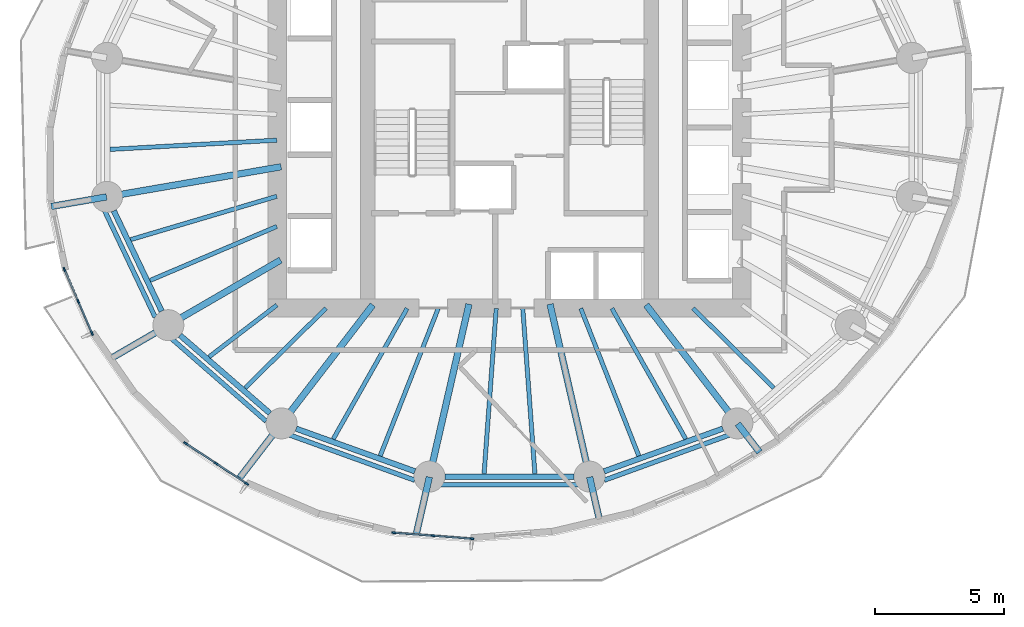
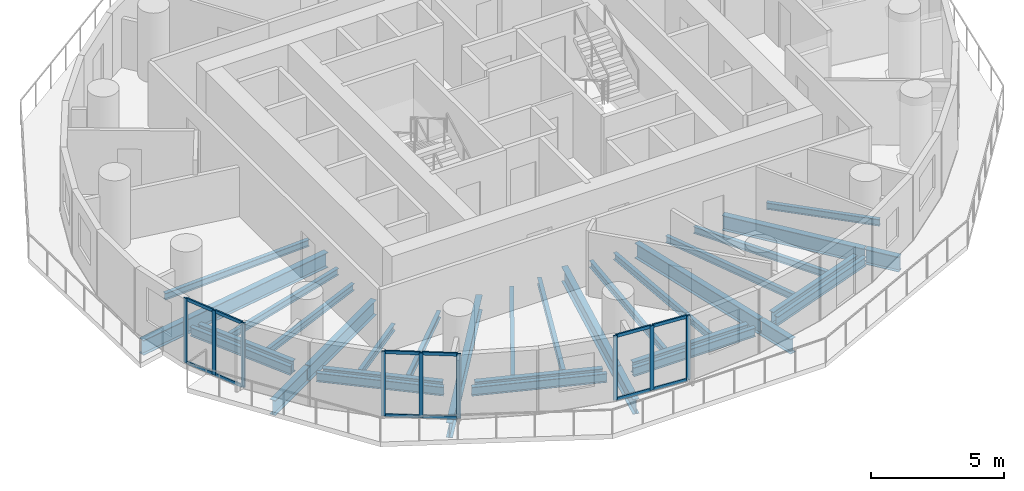
# One storey, part 2 of 14: 34 beams, 21 members, 3 elements without a shape of their own.
"""IFC4 building model written with IfcOpenShell, lengths in metres."""

from ifc_helpers import new_model, si_unit, direction, frame, origin, origin_2d, place, context, subcontext, project, spatial, rectangle, i_section, extrude, material, material_profile, profile_set, type_object, element, aggregate, save


model = new_model("IFC4")

# Units and contexts
model_context = context("Model", 3, precision=1e-05, world=origin(), true_north=direction((0.0, 1.0)))
body_context = subcontext(model_context, "Body", "Model", "MODEL_VIEW")
ifc_project = project(units=[si_unit("LENGTHUNIT", "METRE"), si_unit("AREAUNIT", "SQUARE_METRE"), si_unit("VOLUMEUNIT", "CUBIC_METRE"), si_unit("PLANEANGLEUNIT", "RADIAN"), si_unit("MASSUNIT", "GRAM", prefix="KILO")], contexts=[model_context])

# Site, building, storey
site_placement = place(None, origin())
site = spatial("IfcSite", under=ifc_project, at=site_placement, CompositionType="ELEMENT")
building_placement = place(site_placement, origin())
building = spatial("IfcBuilding", under=site, at=building_placement, Name="Veldorim Arch Residences", CompositionType="ELEMENT")
storey_placement = place(building_placement, frame((0.0, 0.0, 74.080078125)))
storey = spatial("IfcBuildingStorey", under=building, at=storey_placement, Name="L21", CompositionType="ELEMENT", Elevation=74.080078125)

# Beams
ifc_material_1 = material(Name="Steel S355", Category="steel")
ifc_material_profile_1 = material_profile(ifc_material_1, i_section(OverallWidth=0.2119140625, OverallDepth=0.54443359375, WebThickness=0.0126953125, FlangeThickness=0.021240234375, at=origin_2d()), Name="UB533x210x122")
ifc_profile_set_1 = profile_set([ifc_material_profile_1], Name="Steel S355")
beam_type_1 = type_object("IfcBeamType", Name="Structural Steel Beam UB533x210x122", PredefinedType="BEAM", material=ifc_profile_set_1)
beam_1_placement = place(storey_placement, frame((16.663818359375, 20.766357421875, -0.51220703125), z_axis=(0.430720154476, -0.902485539235, 0.0), x_axis=(0.902485539235, 0.430720154476, 0.0)))
element("IfcBeam", 1, at=beam_1_placement, inside=storey, type_object=beam_type_1, Name="L21 perimeter ring tie beam 09", PredefinedType="BEAM", context=body_context, shape_type="SweptSolid", body=[
    extrude(i_section(OverallWidth=0.2119140625, OverallDepth=0.54443359375, WebThickness=0.0126953125, FlangeThickness=0.021240234375, at=origin_2d()), origin(), (0.0, 0.0, 1.0), 4.312255859375),
])
beam_2_placement = place(storey_placement, frame((19.232666015625, 15.939697265625, -0.51220703125), z_axis=(0.755244952556, -0.655442645576, 0.0), x_axis=(0.655442645576, 0.755244952556, 0.0)))
element("IfcBeam", 2, at=beam_2_placement, inside=storey, type_object=beam_type_1, Name="L21 perimeter ring tie beam 10", PredefinedType="BEAM", context=body_context, shape_type="SweptSolid", body=[
    extrude(i_section(OverallWidth=0.2119140625, OverallDepth=0.54443359375, WebThickness=0.0126953125, FlangeThickness=0.021240234375, at=origin_2d()), origin(), (0.0, 0.0, 1.0), 4.608642578125),
])
beam_3_placement = place(storey_placement, frame((23.73095703125, 12.32275390625, -0.51220703125), z_axis=(0.941041944493, -0.338289903343, 0.0), x_axis=(0.338289903343, 0.941041944493, 0.0)))
element("IfcBeam", 3, at=beam_3_placement, inside=storey, type_object=beam_type_1, Name="L21 perimeter ring tie beam 11", PredefinedType="BEAM", context=body_context, shape_type="SweptSolid", body=[
    extrude(i_section(OverallWidth=0.2119140625, OverallDepth=0.54443359375, WebThickness=0.0126953125, FlangeThickness=0.021240234375, at=origin_2d()), origin(), (0.0, 0.0, 1.0), 4.890869140625),
])
beam_4_placement = place(storey_placement, frame((29.498046875, 10.465087890625, -0.51220703125), z_axis=(1.0, 0.0, 0.0), x_axis=(0.0, 1.0, 0.0)))
element("IfcBeam", 4, at=beam_4_placement, inside=storey, type_object=beam_type_1, Name="L21 perimeter ring tie beam 12", PredefinedType="BEAM", context=body_context, shape_type="SweptSolid", body=[
    extrude(i_section(OverallWidth=0.2119140625, OverallDepth=0.54443359375, WebThickness=0.0126953125, FlangeThickness=0.021240234375, at=origin_2d()), origin(), (0.0, 0.0, 1.0), 5.00390625),
])
beam_5_placement = place(storey_placement, frame((35.66650390625, 10.668212890625, -0.51220703125), z_axis=(0.941041944493, 0.338289903343, 0.0), x_axis=(-0.338289903343, 0.941041944493, 0.0)))
element("IfcBeam", 5, at=beam_5_placement, inside=storey, type_object=beam_type_1, Name="L21 perimeter ring tie beam 13", PredefinedType="BEAM", context=body_context, shape_type="SweptSolid", body=[
    extrude(i_section(OverallWidth=0.2119140625, OverallDepth=0.54443359375, WebThickness=0.0126953125, FlangeThickness=0.021240234375, at=origin_2d()), origin(), (0.0, 0.0, 1.0), 4.890869140625),
])
ifc_material_2 = material(Name="Steel S355", Category="steel")
ifc_material_profile_2 = material_profile(ifc_material_2, i_section(OverallWidth=0.25439453125, OverallDepth=0.6875, WebThickness=0.01318359375, FlangeThickness=0.02099609375, at=origin_2d()), Name="UB686x254x152")
ifc_profile_set_2 = profile_set([ifc_material_profile_2], Name="Steel S355")
beam_type_2 = type_object("IfcBeamType", Name="Structural Steel GIRDER UB686x254x152", PredefinedType="USERDEFINED", material=ifc_profile_set_2)
beam_6_placement = place(storey_placement, frame((23.147705078125, 22.4716796875, -0.583740234375), z_axis=(-0.985426622718, -0.17010106184, 0.0), x_axis=(0.17010106184, -0.985426622718, 0.0)))
element("IfcBeam", 6, at=beam_6_placement, inside=storey, type_object=beam_type_2, Name="L21 radial floor girder 09", ObjectType="GIRDER", PredefinedType="USERDEFINED", context=body_context, shape_type="SweptSolid", body=[
    extrude(i_section(OverallWidth=0.25439453125, OverallDepth=0.6875, WebThickness=0.01318359375, FlangeThickness=0.02099609375, at=origin_2d()), origin(), (0.0, 0.0, 1.0), 6.82177734375),
])
beam_7_placement = place(storey_placement, frame((16.3857421875, 21.304443359375, -0.583740234375), z_axis=(-0.985415364323, -0.170166270909, 0.0), x_axis=(0.170166270909, -0.985415364323, 0.0)))
element("IfcBeam", 7, at=beam_7_placement, inside=storey, type_object=beam_type_2, Name="L21 radial edge cantilever girder 09", ObjectType="GIRDER", PredefinedType="USERDEFINED", context=body_context, shape_type="SweptSolid", body=[
    extrude(i_section(OverallWidth=0.25439453125, OverallDepth=0.6875, WebThickness=0.01318359375, FlangeThickness=0.02099609375, at=origin_2d()), origin(), (0.0, 0.0, 1.0), 2.175048828125),
])
beam_8_placement = place(storey_placement, frame((23.1298828125, 18.85595703125, -0.583740234375), z_axis=(-0.865048957682, -0.501687453314, 0.0), x_axis=(0.501687453314, -0.865048957682, 0.0)))
element("IfcBeam", 8, at=beam_8_placement, inside=storey, type_object=beam_type_2, Name="L21 radial floor girder 10", ObjectType="GIRDER", PredefinedType="USERDEFINED", context=body_context, shape_type="SweptSolid", body=[
    extrude(i_section(OverallWidth=0.25439453125, OverallDepth=0.6875, WebThickness=0.01318359375, FlangeThickness=0.02099609375, at=origin_2d()), origin(), (0.0, 0.0, 1.0), 5.009033203125),
])
beam_9_placement = place(storey_placement, frame((18.76220703125, 16.322998046875, -0.583740234375), z_axis=(-0.86504998688, -0.501685678687, 0.0), x_axis=(0.501685678687, -0.86504998688, 0.0)))
element("IfcBeam", 9, at=beam_9_placement, inside=storey, type_object=beam_type_2, Name="L21 radial edge cantilever girder 10", ObjectType="GIRDER", PredefinedType="USERDEFINED", context=body_context, shape_type="SweptSolid", body=[
    extrude(i_section(OverallWidth=0.25439453125, OverallDepth=0.6875, WebThickness=0.01318359375, FlangeThickness=0.02099609375, at=origin_2d()), origin(), (0.0, 0.0, 1.0), 2.5927734375),
])
beam_10_placement = place(storey_placement, frame((26.702392578125, 17.118896484375, -0.583740234375), z_axis=(-0.609994628196, -0.792405548676, 0.0), x_axis=(0.792405548676, -0.609994628196, 0.0)))
element("IfcBeam", 10, at=beam_10_placement, inside=storey, type_object=beam_type_2, Name="L21 radial floor girder 11", ObjectType="GIRDER", PredefinedType="USERDEFINED", context=body_context, shape_type="SweptSolid", body=[
    extrude(i_section(OverallWidth=0.25439453125, OverallDepth=0.6875, WebThickness=0.01318359375, FlangeThickness=0.02099609375, at=origin_2d()), origin(), (0.0, 0.0, 1.0), 5.776611328125),
])
beam_11_placement = place(storey_placement, frame((23.154296875, 12.510009765625, -0.583740234375), z_axis=(-0.609966828657, -0.792426948014, 0.0), x_axis=(0.792426948014, -0.609966828657, 0.0)))
element("IfcBeam", 11, at=beam_11_placement, inside=storey, type_object=beam_type_2, Name="L21 radial edge cantilever girder 11", ObjectType="GIRDER", PredefinedType="USERDEFINED", context=body_context, shape_type="SweptSolid", body=[
    extrude(i_section(OverallWidth=0.25439453125, OverallDepth=0.6875, WebThickness=0.01318359375, FlangeThickness=0.02099609375, at=origin_2d()), origin(), (0.0, 0.0, 1.0), 2.672119140625),
])
beam_12_placement = place(storey_placement, frame((30.42919921875, 17.146240234375, -0.583740234375), z_axis=(-0.223374742148, -0.97473264261, 0.0), x_axis=(0.97473264261, -0.223374742148, 0.0)))
element("IfcBeam", 12, at=beam_12_placement, inside=storey, type_object=beam_type_2, Name="L21 radial floor girder 12", ObjectType="GIRDER", PredefinedType="USERDEFINED", context=body_context, shape_type="SweptSolid", body=[
    extrude(i_section(OverallWidth=0.25439453125, OverallDepth=0.6875, WebThickness=0.01318359375, FlangeThickness=0.02099609375, at=origin_2d()), origin(), (0.0, 0.0, 1.0), 6.834228515625),
])
beam_13_placement = place(storey_placement, frame((28.8935546875, 10.44580078125, -0.583740234375), z_axis=(-0.223344244507, -0.974739631104, 0.0), x_axis=(0.974739631104, -0.223344244507, 0.0)))
element("IfcBeam", 13, at=beam_13_placement, inside=storey, type_object=beam_type_2, Name="L21 radial edge cantilever girder 12", ObjectType="GIRDER", PredefinedType="USERDEFINED", context=body_context, shape_type="SweptSolid", body=[
    extrude(i_section(OverallWidth=0.25439453125, OverallDepth=0.6875, WebThickness=0.01318359375, FlangeThickness=0.02099609375, at=origin_2d()), origin(), (0.0, 0.0, 1.0), 2.271484375),
])
beam_14_placement = place(storey_placement, frame((33.57080078125, 17.146240234375, -0.583740234375), z_axis=(0.223374742148, -0.97473264261, 0.0), x_axis=(0.97473264261, 0.223374742148, 0.0)))
element("IfcBeam", 14, at=beam_14_placement, inside=storey, type_object=beam_type_2, Name="L21 radial floor girder 13", ObjectType="GIRDER", PredefinedType="USERDEFINED", context=body_context, shape_type="SweptSolid", body=[
    extrude(i_section(OverallWidth=0.25439453125, OverallDepth=0.6875, WebThickness=0.01318359375, FlangeThickness=0.02099609375, at=origin_2d()), origin(), (0.0, 0.0, 1.0), 6.834228515625),
])
beam_15_placement = place(storey_placement, frame((35.1064453125, 10.44580078125, -0.583740234375), z_axis=(0.223279477519, -0.974754469043, 0.0), x_axis=(0.974754469043, 0.223279477519, 0.0)))
element("IfcBeam", 15, at=beam_15_placement, inside=storey, type_object=beam_type_2, Name="L21 radial edge cantilever girder 13", ObjectType="GIRDER", PredefinedType="USERDEFINED", context=body_context, shape_type="SweptSolid", body=[
    extrude(i_section(OverallWidth=0.25439453125, OverallDepth=0.6875, WebThickness=0.01318359375, FlangeThickness=0.02099609375, at=origin_2d()), origin(), (0.0, 0.0, 1.0), 1.74951171875),
])
beam_16_placement = place(storey_placement, frame((37.297607421875, 17.118896484375, -0.583740234375), z_axis=(0.609994628196, -0.792405548676, 0.0), x_axis=(0.792405548676, 0.609994628196, 0.0)))
element("IfcBeam", 16, at=beam_16_placement, inside=storey, type_object=beam_type_2, Name="L21 radial floor girder 14", ObjectType="GIRDER", PredefinedType="USERDEFINED", context=body_context, shape_type="SweptSolid", body=[
    extrude(i_section(OverallWidth=0.25439453125, OverallDepth=0.6875, WebThickness=0.01318359375, FlangeThickness=0.02099609375, at=origin_2d()), origin(), (0.0, 0.0, 1.0), 5.776611328125),
])
beam_17_placement = place(storey_placement, frame((40.845703125, 12.510009765625, -0.583740234375), z_axis=(0.609991800873, -0.792407725144, 0.0), x_axis=(0.792407725144, 0.609991800873, 0.0)))
element("IfcBeam", 17, at=beam_17_placement, inside=storey, type_object=beam_type_2, Name="L21 radial edge cantilever girder 14", ObjectType="GIRDER", PredefinedType="USERDEFINED", context=body_context, shape_type="SweptSolid", body=[
    extrude(i_section(OverallWidth=0.25439453125, OverallDepth=0.6875, WebThickness=0.01318359375, FlangeThickness=0.02099609375, at=origin_2d()), origin(), (0.0, 0.0, 1.0), 1.38525390625),
])
ifc_material_3 = material(Name="Steel S355", Category="steel")
ifc_material_profile_3 = material_profile(ifc_material_3, i_section(OverallWidth=0.165771484375, OverallDepth=0.306640625, WebThickness=0.006591796875, FlangeThickness=0.01171875, at=origin_2d()), Name="UB305x165x46")
ifc_profile_set_3 = profile_set([ifc_material_profile_3], Name="Steel S355")
beam_type_3 = type_object("IfcBeamType", Name="Structural Steel Joist UB305x165x46", PredefinedType="JOIST", material=ifc_profile_set_3)
beam_18_placement = place(storey_placement, frame((22.97998046875, 23.501708984375, -0.393310546875), z_axis=(-0.99847713097, -0.055167190702, 0.0), x_axis=(0.055167190702, -0.99847713097, 0.0)))
element("IfcBeam", 18, at=beam_18_placement, inside=storey, type_object=beam_type_3, Name="L21 secondary radial floor joist 08-2", PredefinedType="JOIST", context=body_context, shape_type="SweptSolid", body=[
    extrude(i_section(OverallWidth=0.165771484375, OverallDepth=0.306640625, WebThickness=0.006591796875, FlangeThickness=0.01171875, at=origin_2d()), origin(), (0.0, 0.0, 1.0), 6.474365234375),
])
beam_19_placement = place(storey_placement, frame((22.980712890625, 21.326416015625, -0.393310546875), z_axis=(-0.958753061488, -0.284240333324, 0.0), x_axis=(0.284240333324, -0.958753061488, 0.0)))
element("IfcBeam", 19, at=beam_19_placement, inside=storey, type_object=beam_type_3, Name="L21 secondary radial floor joist 09-1", PredefinedType="JOIST", context=body_context, shape_type="SweptSolid", body=[
    extrude(i_section(OverallWidth=0.165771484375, OverallDepth=0.306640625, WebThickness=0.006591796875, FlangeThickness=0.01171875, at=origin_2d()), origin(), (0.0, 0.0, 1.0), 5.906005859375),
])
beam_20_placement = place(storey_placement, frame((22.981689453125, 20.158447265625, -0.393310546875), z_axis=(-0.919997395122, -0.391924473552, 0.0), x_axis=(0.391924473552, -0.919997395122, 0.0)))
element("IfcBeam", 20, at=beam_20_placement, inside=storey, type_object=beam_type_3, Name="L21 secondary radial floor joist 09-2", PredefinedType="JOIST", context=body_context, shape_type="SweptSolid", body=[
    extrude(i_section(OverallWidth=0.165771484375, OverallDepth=0.306640625, WebThickness=0.006591796875, FlangeThickness=0.01171875, at=origin_2d()), origin(), (0.0, 0.0, 1.0), 5.334716796875),
])
beam_21_placement = place(storey_placement, frame((22.984130859375, 17.111572265625, -0.393310546875), z_axis=(-0.794594763594, -0.60714014994, 0.0), x_axis=(0.60714014994, -0.794594763594, 0.0)))
element("IfcBeam", 21, at=beam_21_placement, inside=storey, type_object=beam_type_3, Name="L21 secondary radial floor joist 10-1", PredefinedType="JOIST", context=body_context, shape_type="SweptSolid", body=[
    extrude(i_section(OverallWidth=0.165771484375, OverallDepth=0.306640625, WebThickness=0.006591796875, FlangeThickness=0.01171875, at=origin_2d()), origin(), (0.0, 0.0, 1.0), 3.30419921875),
])
beam_22_placement = place(storey_placement, frame((24.885986328125, 16.986083984375, -0.393310546875), z_axis=(-0.712111629941, -0.702066255066, 0.0), x_axis=(0.702066255066, -0.712111629941, 0.0)))
element("IfcBeam", 22, at=beam_22_placement, inside=storey, type_object=beam_type_3, Name="L21 secondary radial floor joist 10-2", PredefinedType="JOIST", context=body_context, shape_type="SweptSolid", body=[
    extrude(i_section(OverallWidth=0.165771484375, OverallDepth=0.306640625, WebThickness=0.006591796875, FlangeThickness=0.01171875, at=origin_2d()), origin(), (0.0, 0.0, 1.0), 4.39892578125),
])
beam_23_placement = place(storey_placement, frame((28.03173828125, 16.982666015625, -0.393310546875), z_axis=(-0.492227411199, -0.870466642476, 0.0), x_axis=(0.870466642476, -0.492227411199, 0.0)))
element("IfcBeam", 23, at=beam_23_placement, inside=storey, type_object=beam_type_3, Name="L21 secondary radial floor joist 11-1", PredefinedType="JOIST", context=body_context, shape_type="SweptSolid", body=[
    extrude(i_section(OverallWidth=0.165771484375, OverallDepth=0.306640625, WebThickness=0.006591796875, FlangeThickness=0.01171875, at=origin_2d()), origin(), (0.0, 0.0, 1.0), 5.81494140625),
])
beam_24_placement = place(storey_placement, frame((29.238037109375, 16.9814453125, -0.393310546875), z_axis=(-0.366194870364, -0.930538186707, 0.0), x_axis=(0.930538186707, -0.366194870364, 0.0)))
element("IfcBeam", 24, at=beam_24_placement, inside=storey, type_object=beam_type_3, Name="L21 secondary radial floor joist 11-2", PredefinedType="JOIST", context=body_context, shape_type="SweptSolid", body=[
    extrude(i_section(OverallWidth=0.165771484375, OverallDepth=0.306640625, WebThickness=0.006591796875, FlangeThickness=0.01171875, at=origin_2d()), origin(), (0.0, 0.0, 1.0), 6.1396484375),
])
for number, where, z_axis, x_axis, name in (
    (25, (31.485107421875, 16.97998046875, -0.393310546875), (-0.073143494169, -0.997321427254, 0.0), (0.997321427254, -0.073143494169, 0.0), "L21 secondary radial floor joist 12-1"),
    (26, (32.514892578125, 16.97998046875, -0.393310546875), (0.073143494169, -0.997321427254, 0.0), (0.997321427254, 0.073143494169, 0.0), "L21 secondary radial floor joist 12-2"),
):
    element("IfcBeam", number, at=place(storey_placement, frame(where, z_axis=z_axis, x_axis=x_axis)), inside=storey, type_object=beam_type_3, Name=name, PredefinedType="JOIST", context=body_context, shape_type="SweptSolid", body=[
        extrude(i_section(OverallWidth=0.165771484375, OverallDepth=0.306640625, WebThickness=0.006591796875, FlangeThickness=0.01171875, at=origin_2d()), origin(), (0.0, 0.0, 1.0), 6.421875),
    ])
beam_25_placement = place(storey_placement, frame((34.761962890625, 16.9814453125, -0.393310546875), z_axis=(0.366194870364, -0.930538186707, 0.0), x_axis=(0.930538186707, 0.366194870364, 0.0)))
element("IfcBeam", 27, at=beam_25_placement, inside=storey, type_object=beam_type_3, Name="L21 secondary radial floor joist 13-1", PredefinedType="JOIST", context=body_context, shape_type="SweptSolid", body=[
    extrude(i_section(OverallWidth=0.165771484375, OverallDepth=0.306640625, WebThickness=0.006591796875, FlangeThickness=0.01171875, at=origin_2d()), origin(), (0.0, 0.0, 1.0), 6.1396484375),
])
beam_26_placement = place(storey_placement, frame((35.96826171875, 16.982666015625, -0.393310546875), z_axis=(0.492227411199, -0.870466642476, 0.0), x_axis=(0.870466642476, 0.492227411199, 0.0)))
element("IfcBeam", 28, at=beam_26_placement, inside=storey, type_object=beam_type_3, Name="L21 secondary radial floor joist 13-2", PredefinedType="JOIST", context=body_context, shape_type="SweptSolid", body=[
    extrude(i_section(OverallWidth=0.165771484375, OverallDepth=0.306640625, WebThickness=0.006591796875, FlangeThickness=0.01171875, at=origin_2d()), origin(), (0.0, 0.0, 1.0), 5.81494140625),
])
beam_27_placement = place(storey_placement, frame((39.114013671875, 16.986083984375, -0.393310546875), z_axis=(0.712111629941, -0.702066255066, 0.0), x_axis=(0.702066255066, 0.712111629941, 0.0)))
element("IfcBeam", 29, at=beam_27_placement, inside=storey, type_object=beam_type_3, Name="L21 secondary radial floor joist 14-1", PredefinedType="JOIST", context=body_context, shape_type="SweptSolid", body=[
    extrude(i_section(OverallWidth=0.165771484375, OverallDepth=0.306640625, WebThickness=0.006591796875, FlangeThickness=0.01171875, at=origin_2d()), origin(), (0.0, 0.0, 1.0), 4.39892578125),
])
ifc_material_4 = material(Name="Steel S355", Category="steel")
ifc_material_profile_4 = material_profile(ifc_material_4, i_section(OverallWidth=0.1787109375, OverallDepth=0.409423828125, WebThickness=0.0087890625, FlangeThickness=0.014404296875, at=origin_2d()), Name="UB406x178x67")
ifc_profile_set_4 = profile_set([ifc_material_profile_4], Name="Steel S355")
beam_type_4 = type_object("IfcBeamType", Name="Structural Steel Spandrel UB406x178x67", PredefinedType="SPANDREL", material=ifc_profile_set_4)
beam_28_placement = place(storey_placement, frame((16.306884765625, 20.774658203125, -0.46484375), z_axis=(0.428857472204, -0.903372165021, 0.0), x_axis=(0.903372165021, 0.428857472204, 0.0)))
element("IfcBeam", 30, at=beam_28_placement, inside=storey, type_object=beam_type_4, Name="L21 perimeter chord spandrel beam 09", PredefinedType="SPANDREL", context=body_context, shape_type="SweptSolid", body=[
    extrude(i_section(OverallWidth=0.1787109375, OverallDepth=0.409423828125, WebThickness=0.0087890625, FlangeThickness=0.014404296875, at=origin_2d()), origin(), (0.0, 0.0, 1.0), 4.572021484375),
])
beam_29_placement = place(storey_placement, frame((18.891845703125, 15.8203125, -0.46484375), z_axis=(0.753323239074, -0.65765043714, 0.0), x_axis=(0.65765043714, 0.753323239074, 0.0)))
element("IfcBeam", 31, at=beam_29_placement, inside=storey, type_object=beam_type_4, Name="L21 perimeter chord spandrel beam 10", PredefinedType="SPANDREL", context=body_context, shape_type="SweptSolid", body=[
    extrude(i_section(OverallWidth=0.1787109375, OverallDepth=0.409423828125, WebThickness=0.0087890625, FlangeThickness=0.014404296875, at=origin_2d()), origin(), (0.0, 0.0, 1.0), 4.879150390625),
])
beam_30_placement = place(storey_placement, frame((23.461669921875, 12.08447265625, -0.46484375), z_axis=(0.940307501418, -0.340326024244, 0.0), x_axis=(0.340326024244, 0.940307501418, 0.0)))
element("IfcBeam", 32, at=beam_30_placement, inside=storey, type_object=beam_type_4, Name="L21 perimeter chord spandrel beam 11", PredefinedType="SPANDREL", context=body_context, shape_type="SweptSolid", body=[
    extrude(i_section(OverallWidth=0.1787109375, OverallDepth=0.409423828125, WebThickness=0.0087890625, FlangeThickness=0.014404296875, at=origin_2d()), origin(), (0.0, 0.0, 1.0), 5.175048828125),
])
beam_31_placement = place(storey_placement, frame((29.352294921875, 10.1435546875, -0.46484375), z_axis=(1.0, 0.0, 0.0), x_axis=(0.0, 1.0, 0.0)))
element("IfcBeam", 33, at=beam_31_placement, inside=storey, type_object=beam_type_4, Name="L21 perimeter chord spandrel beam 12", PredefinedType="SPANDREL", context=body_context, shape_type="SweptSolid", body=[
    extrude(i_section(OverallWidth=0.1787109375, OverallDepth=0.409423828125, WebThickness=0.0087890625, FlangeThickness=0.014404296875, at=origin_2d()), origin(), (0.0, 0.0, 1.0), 5.29541015625),
])
beam_32_placement = place(storey_placement, frame((35.672119140625, 10.3232421875, -0.46484375), z_axis=(0.940307501418, 0.340326024244, 0.0), x_axis=(-0.340326024244, 0.940307501418, 0.0)))
element("IfcBeam", 34, at=beam_32_placement, inside=storey, type_object=beam_type_4, Name="L21 perimeter chord spandrel beam 13", PredefinedType="SPANDREL", context=body_context, shape_type="SweptSolid", body=[
    extrude(i_section(OverallWidth=0.1787109375, OverallDepth=0.409423828125, WebThickness=0.0087890625, FlangeThickness=0.014404296875, at=origin_2d()), origin(), (0.0, 0.0, 1.0), 5.175048828125),
])

# Curtain wall, members
ifc_material_5 = material(Name="Aluminium", Category="aluminium")
curtain_wall_type = type_object("IfcCurtainWallType", Name="Zone 2 Solar-Control Unitised Curtain Wall", PredefinedType="NOTDEFINED", material=ifc_material_5)
curtain_wall_1_placement = place(storey_placement, origin())
curtain_wall_1 = element("IfcCurtainWall", 35, at=curtain_wall_1_placement, inside=storey, type_object=curtain_wall_type, Name="L21 unitised curtain wall bay 19", PredefinedType="NOTDEFINED")
ifc_material_6 = material(Name="Aluminium", Category="aluminium")
ifc_material_profile_5 = material_profile(ifc_material_6, rectangle(XDim=0.06494140625, YDim=0.1650390625, at=origin_2d()), Name="ALU_MUL_65x165")
ifc_profile_set_5 = profile_set([ifc_material_profile_5], Name="Aluminium")
member_type_1 = type_object("IfcMemberType", Name="Zone 2 Solar-Control Unitised Curtain Wall Mullion 65x165", PredefinedType="MULLION", material=ifc_profile_set_5)
member_1_placement = place(storey_placement, frame((15.8203125, 16.01953125, 0.0), z_axis=(0.0, 0.0, 1.0), x_axis=(-0.917796682643, -0.397050688615, 0.0)))
member_1 = element("IfcMember", 36, at=member_1_placement, type_object=member_type_1, Name="CW-Z2 mullion 1", PredefinedType="MULLION", context=body_context, shape_type="SweptSolid", body=[
    extrude(rectangle(XDim=0.06494140625, YDim=0.1650390625, at=origin_2d()), origin(), (0.0, 0.0, 1.0), 2.9599609375),
])
member_2_placement = place(storey_placement, frame((15.285888671875, 17.255126953125, 0.0), z_axis=(0.0, 0.0, 1.0), x_axis=(-0.917796682643, -0.397050688615, 0.0)))
member_2 = element("IfcMember", 37, at=member_2_placement, type_object=member_type_1, Name="CW-Z2 mullion 2", PredefinedType="MULLION", context=body_context, shape_type="SweptSolid", body=[
    extrude(rectangle(XDim=0.06494140625, YDim=0.1650390625, at=origin_2d()), origin(), (0.0, 0.0, 1.0), 2.9599609375),
])
member_3_placement = place(storey_placement, frame((14.751220703125, 18.49072265625, 0.0), z_axis=(0.0, 0.0, 1.0), x_axis=(-0.917796682643, -0.397050688615, 0.0)))
member_3 = element("IfcMember", 38, at=member_3_placement, type_object=member_type_1, Name="CW-Z2 mullion 3", PredefinedType="MULLION", context=body_context, shape_type="SweptSolid", body=[
    extrude(rectangle(XDim=0.06494140625, YDim=0.1650390625, at=origin_2d()), origin(), (0.0, 0.0, 1.0), 2.9599609375),
])

curtain_wall_2_placement = place(storey_placement, origin())
curtain_wall_2 = element("IfcCurtainWall", 39, at=curtain_wall_2_placement, inside=storey, type_object=curtain_wall_type, Name="L21 unitised curtain wall bay 22", PredefinedType="NOTDEFINED")
member_4_placement = place(storey_placement, frame((21.813720703125, 10.189697265625, 0.0), z_axis=(0.0, 0.0, 1.0), x_axis=(-0.551503414596, -0.834172634224, 0.0)))
member_4 = element("IfcMember", 40, at=member_4_placement, type_object=member_type_1, Name="CW-Z2 mullion 1", PredefinedType="MULLION", context=body_context, shape_type="SweptSolid", body=[
    extrude(rectangle(XDim=0.06494140625, YDim=0.1650390625, at=origin_2d()), origin(), (0.0, 0.0, 1.0), 2.9599609375),
])
member_5_placement = place(storey_placement, frame((20.6318359375, 10.970947265625, 0.0), z_axis=(0.0, 0.0, 1.0), x_axis=(-0.551503414596, -0.834172634224, 0.0)))
member_5 = element("IfcMember", 41, at=member_5_placement, type_object=member_type_1, Name="CW-Z2 mullion 2", PredefinedType="MULLION", context=body_context, shape_type="SweptSolid", body=[
    extrude(rectangle(XDim=0.06494140625, YDim=0.1650390625, at=origin_2d()), origin(), (0.0, 0.0, 1.0), 2.9599609375),
])
member_6_placement = place(storey_placement, frame((19.4501953125, 11.752197265625, 0.0), z_axis=(0.0, 0.0, 1.0), x_axis=(-0.551503414596, -0.834172634224, 0.0)))
member_6 = element("IfcMember", 42, at=member_6_placement, type_object=member_type_1, Name="CW-Z2 mullion 3", PredefinedType="MULLION", context=body_context, shape_type="SweptSolid", body=[
    extrude(rectangle(XDim=0.06494140625, YDim=0.1650390625, at=origin_2d()), origin(), (0.0, 0.0, 1.0), 2.9599609375),
])

curtain_wall_3_placement = place(storey_placement, origin())
curtain_wall_3 = element("IfcCurtainWall", 43, at=curtain_wall_3_placement, inside=storey, type_object=curtain_wall_type, Name="L21 unitised curtain wall bay 25", PredefinedType="NOTDEFINED")
member_7_placement = place(storey_placement, frame((30.54150390625, 8.056884765625, 0.0), z_axis=(0.0, 0.0, 1.0), x_axis=(-0.076696498885, -0.997054485502, 0.0)))
member_7 = element("IfcMember", 44, at=member_7_placement, type_object=member_type_1, Name="CW-Z2 mullion 1", PredefinedType="MULLION", context=body_context, shape_type="SweptSolid", body=[
    extrude(rectangle(XDim=0.06494140625, YDim=0.1650390625, at=origin_2d()), origin(), (0.0, 0.0, 1.0), 2.9599609375),
])
member_8_placement = place(storey_placement, frame((29.027587890625, 8.17333984375, 0.0), z_axis=(0.0, 0.0, 1.0), x_axis=(-0.076696498885, -0.997054485502, 0.0)))
member_8 = element("IfcMember", 45, at=member_8_placement, type_object=member_type_1, Name="CW-Z2 mullion 2", PredefinedType="MULLION", context=body_context, shape_type="SweptSolid", body=[
    extrude(rectangle(XDim=0.06494140625, YDim=0.1650390625, at=origin_2d()), origin(), (0.0, 0.0, 1.0), 2.9599609375),
])
member_9_placement = place(storey_placement, frame((27.513671875, 8.289794921875, 0.0), z_axis=(0.0, 0.0, 1.0), x_axis=(-0.076696498885, -0.997054485502, 0.0)))
member_9 = element("IfcMember", 46, at=member_9_placement, type_object=member_type_1, Name="CW-Z2 mullion 3", PredefinedType="MULLION", context=body_context, shape_type="SweptSolid", body=[
    extrude(rectangle(XDim=0.06494140625, YDim=0.1650390625, at=origin_2d()), origin(), (0.0, 0.0, 1.0), 2.9599609375),
])

# Member
ifc_material_7 = material(Name="Aluminium", Category="aluminium")
ifc_material_profile_6 = material_profile(ifc_material_7, rectangle(XDim=0.06494140625, YDim=0.14501953125, at=origin_2d()), Name="ALU_TRN_65x145")
ifc_profile_set_6 = profile_set([ifc_material_profile_6], Name="Aluminium")
member_type_2 = type_object("IfcMemberType", Name="Zone 2 Solar-Control Unitised Curtain Wall Transom 65x145", PredefinedType="USERDEFINED", material=ifc_profile_set_6)
member_10_placement = place(storey_placement, frame((15.807373046875, 16.04931640625, 0.032470703125), z_axis=(-0.396906812101, 0.917858912093, 0.0), x_axis=(-0.917858912093, -0.396906812101, 0.0)))
member_10 = element("IfcMember", 47, at=member_10_placement, type_object=member_type_2, Name="CW-Z2 transom 1.1", ObjectType="TRANSOM", PredefinedType="USERDEFINED", context=body_context, shape_type="SweptSolid", body=[
    extrude(rectangle(XDim=0.06494140625, YDim=0.14501953125, at=origin_2d()), origin(), (0.0, 0.0, 1.0), 1.28125),
])

member_11_placement = place(storey_placement, frame((15.807373046875, 16.04931640625, 2.927490234375), z_axis=(-0.396906812101, 0.917858912093, 0.0), x_axis=(-0.917858912093, -0.396906812101, 0.0)))
member_11 = element("IfcMember", 48, at=member_11_placement, type_object=member_type_2, Name="CW-Z2 transom 1.2", ObjectType="TRANSOM", PredefinedType="USERDEFINED", context=body_context, shape_type="SweptSolid", body=[
    extrude(rectangle(XDim=0.06494140625, YDim=0.14501953125, at=origin_2d()), origin(), (0.0, 0.0, 1.0), 1.28125),
])

member_12_placement = place(storey_placement, frame((15.27294921875, 17.284912109375, 0.032470703125), z_axis=(-0.397067322017, 0.91778948664, 0.0), x_axis=(-0.91778948664, -0.397067322017, 0.0)))
member_12 = element("IfcMember", 49, at=member_12_placement, type_object=member_type_2, Name="CW-Z2 transom 2.1", ObjectType="TRANSOM", PredefinedType="USERDEFINED", context=body_context, shape_type="SweptSolid", body=[
    extrude(rectangle(XDim=0.06494140625, YDim=0.14501953125, at=origin_2d()), origin(), (0.0, 0.0, 1.0), 1.28125),
])

member_13_placement = place(storey_placement, frame((15.27294921875, 17.284912109375, 2.927490234375), z_axis=(-0.397067322017, 0.91778948664, 0.0), x_axis=(-0.91778948664, -0.397067322017, 0.0)))
member_13 = element("IfcMember", 50, at=member_13_placement, type_object=member_type_2, Name="CW-Z2 transom 2.2", ObjectType="TRANSOM", PredefinedType="USERDEFINED", context=body_context, shape_type="SweptSolid", body=[
    extrude(rectangle(XDim=0.06494140625, YDim=0.14501953125, at=origin_2d()), origin(), (0.0, 0.0, 1.0), 1.28125),
])

aggregate(curtain_wall_1, [member_1, member_2, member_3, member_10, member_11, member_12, member_13])

member_14_placement = place(storey_placement, frame((21.78662109375, 10.20751953125, 0.032470703125), z_axis=(-0.834155806589, 0.551528866275, 0.0), x_axis=(-0.551528866275, -0.834155806589, 0.0)))
member_14 = element("IfcMember", 51, at=member_14_placement, type_object=member_type_2, Name="CW-Z2 transom 1.1", ObjectType="TRANSOM", PredefinedType="USERDEFINED", context=body_context, shape_type="SweptSolid", body=[
    extrude(rectangle(XDim=0.06494140625, YDim=0.14501953125, at=origin_2d()), origin(), (0.0, 0.0, 1.0), 1.351806640625),
])

member_15_placement = place(storey_placement, frame((21.78662109375, 10.20751953125, 2.927490234375), z_axis=(-0.834155806589, 0.551528866275, 0.0), x_axis=(-0.551528866275, -0.834155806589, 0.0)))
member_15 = element("IfcMember", 52, at=member_15_placement, type_object=member_type_2, Name="CW-Z2 transom 1.2", ObjectType="TRANSOM", PredefinedType="USERDEFINED", context=body_context, shape_type="SweptSolid", body=[
    extrude(rectangle(XDim=0.06494140625, YDim=0.14501953125, at=origin_2d()), origin(), (0.0, 0.0, 1.0), 1.351806640625),
])

member_16_placement = place(storey_placement, frame((20.604736328125, 10.98876953125, 0.032470703125), z_axis=(-0.834100860871, 0.551611959528, 0.0), x_axis=(-0.551611959528, -0.834100860871, 0.0)))
member_16 = element("IfcMember", 53, at=member_16_placement, type_object=member_type_2, Name="CW-Z2 transom 2.1", ObjectType="TRANSOM", PredefinedType="USERDEFINED", context=body_context, shape_type="SweptSolid", body=[
    extrude(rectangle(XDim=0.06494140625, YDim=0.14501953125, at=origin_2d()), origin(), (0.0, 0.0, 1.0), 1.351806640625),
])

member_17_placement = place(storey_placement, frame((20.604736328125, 10.98876953125, 2.927490234375), z_axis=(-0.834100860871, 0.551611959528, 0.0), x_axis=(-0.551611959528, -0.834100860871, 0.0)))
member_17 = element("IfcMember", 54, at=member_17_placement, type_object=member_type_2, Name="CW-Z2 transom 2.2", ObjectType="TRANSOM", PredefinedType="USERDEFINED", context=body_context, shape_type="SweptSolid", body=[
    extrude(rectangle(XDim=0.06494140625, YDim=0.14501953125, at=origin_2d()), origin(), (0.0, 0.0, 1.0), 1.351806640625),
])

aggregate(curtain_wall_2, [member_4, member_5, member_6, member_14, member_15, member_16, member_17])

member_18_placement = place(storey_placement, frame((30.50927734375, 8.059326171875, 0.032470703125), z_axis=(-0.99704954324, 0.076760721237, 0.0), x_axis=(-0.076760721237, -0.99704954324, 0.0)))
member_18 = element("IfcMember", 55, at=member_18_placement, type_object=member_type_2, Name="CW-Z2 transom 1.1", ObjectType="TRANSOM", PredefinedType="USERDEFINED", context=body_context, shape_type="SweptSolid", body=[
    extrude(rectangle(XDim=0.06494140625, YDim=0.14501953125, at=origin_2d()), origin(), (0.0, 0.0, 1.0), 1.45361328125),
])

member_19_placement = place(storey_placement, frame((30.50927734375, 8.059326171875, 2.927490234375), z_axis=(-0.99704954324, 0.076760721237, 0.0), x_axis=(-0.076760721237, -0.99704954324, 0.0)))
member_19 = element("IfcMember", 56, at=member_19_placement, type_object=member_type_2, Name="CW-Z2 transom 1.2", ObjectType="TRANSOM", PredefinedType="USERDEFINED", context=body_context, shape_type="SweptSolid", body=[
    extrude(rectangle(XDim=0.06494140625, YDim=0.14501953125, at=origin_2d()), origin(), (0.0, 0.0, 1.0), 1.45361328125),
])

member_20_placement = place(storey_placement, frame((28.995361328125, 8.17578125, 0.032470703125), z_axis=(-0.99704954324, 0.076760721237, 0.0), x_axis=(-0.076760721237, -0.99704954324, 0.0)))
member_20 = element("IfcMember", 57, at=member_20_placement, type_object=member_type_2, Name="CW-Z2 transom 2.1", ObjectType="TRANSOM", PredefinedType="USERDEFINED", context=body_context, shape_type="SweptSolid", body=[
    extrude(rectangle(XDim=0.06494140625, YDim=0.14501953125, at=origin_2d()), origin(), (0.0, 0.0, 1.0), 1.45361328125),
])

member_21_placement = place(storey_placement, frame((28.995361328125, 8.17578125, 2.927490234375), z_axis=(-0.99704954324, 0.076760721237, 0.0), x_axis=(-0.076760721237, -0.99704954324, 0.0)))
member_21 = element("IfcMember", 58, at=member_21_placement, type_object=member_type_2, Name="CW-Z2 transom 2.2", ObjectType="TRANSOM", PredefinedType="USERDEFINED", context=body_context, shape_type="SweptSolid", body=[
    extrude(rectangle(XDim=0.06494140625, YDim=0.14501953125, at=origin_2d()), origin(), (0.0, 0.0, 1.0), 1.45361328125),
])

aggregate(curtain_wall_3, [member_7, member_8, member_9, member_18, member_19, member_20, member_21])

save(model, "model.ifc")
